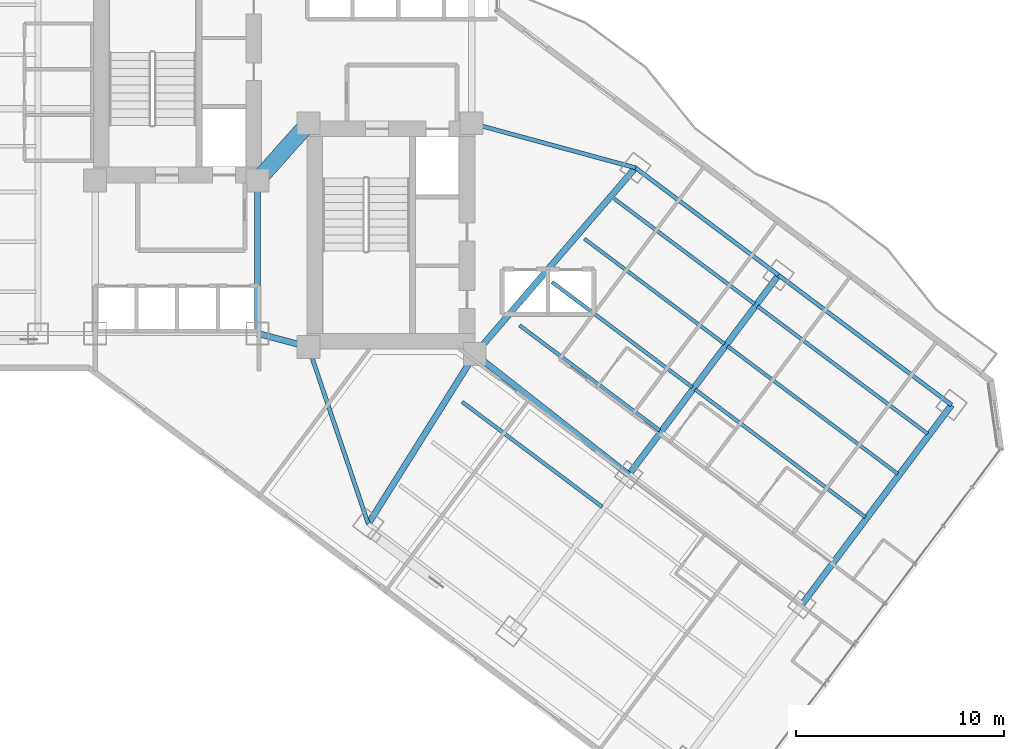
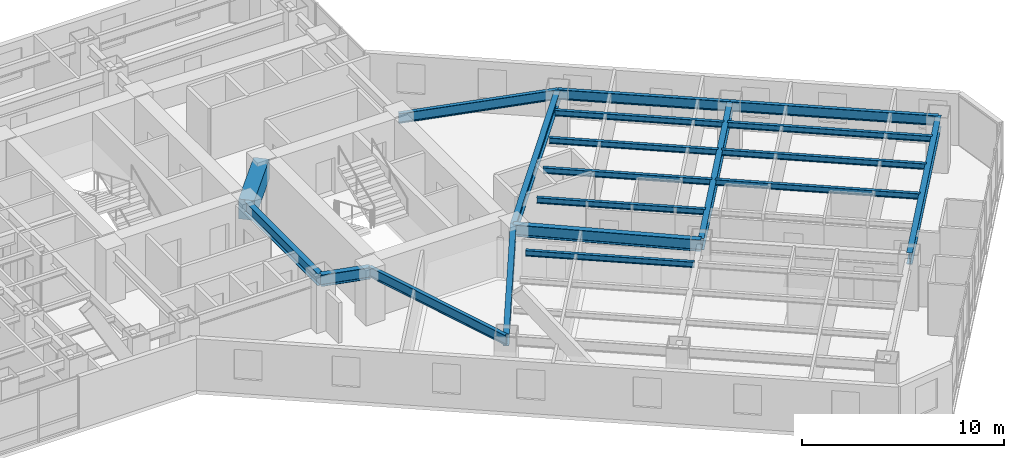
# One storey, part 11 of 32: 20 beams.
"""IFC4 building model written with IfcOpenShell, lengths in metres."""

import ifcopenshell
import ifcopenshell.guid

model = None  # the IFC model being written
_history = None  # IfcOwnerHistory: only IFC2X3 demands one
_inside = {}  # id of a spatial element -> (the spatial element, [elements in it])
_under = {}  # id of a project, library or spatial element -> (it, [spatial elements below it])
_declared = {}  # id of a project -> (the project, [libraries it declares])
_typed = {}  # id of a type object -> (the type object, [elements of that type])
_made_of = {}  # id of a material, layer set ... -> (it, [elements and type objects made of it])


def new_model(schema):
    """Start an empty IFC model of exactly this schema.

    Asked for "IFC4X3", IfcOpenShell would pick the latest addendum, in which some entities
    have other attributes; the version numbers below select the first issue.
    IFC2X3 requires an IfcOwnerHistory on every rooted entity: one is made here for all.
    """
    global model, _history
    if schema == "IFC4X3":
        model = ifcopenshell.file(schema_version=(4, 3, 0, 0))
    else:
        model = ifcopenshell.file(schema=schema)
    _inside.clear()
    _under.clear()
    _declared.clear()
    _typed.clear()
    _made_of.clear()
    _history = None
    if model.schema == "IFC2X3":
        org = make("IfcOrganization", Name="unknown")
        user = make(
            "IfcPersonAndOrganization",
            ThePerson=make("IfcPerson", FamilyName="unknown"),
            TheOrganization=org,
        )
        app = make(
            "IfcApplication",
            ApplicationDeveloper=org,
            Version="unknown",
            ApplicationFullName="unknown",
            ApplicationIdentifier="unknown",
        )
        _history = make(
            "IfcOwnerHistory",
            OwningUser=user,
            OwningApplication=app,
            ChangeAction="ADDED",
            CreationDate=0,
        )
    return model


def make(cls, **values):
    """One entity of the class cls with the attributes given. An attribute that is None is left unset."""
    return model.create_entity(
        cls, **{name: value for name, value in values.items() if value is not None}
    )


def rooted(cls, **values):
    """An entity with a GlobalId (a new one), such as an element, a storey or a relation."""
    return make(cls, GlobalId=ifcopenshell.guid.new(), OwnerHistory=_history, **values)


def si_unit(unit_type, name, prefix=None):
    """IfcSIUnit, for example si_unit("LENGTHUNIT", "METRE", prefix="MILLI")."""
    return make("IfcSIUnit", UnitType=unit_type, Prefix=prefix, Name=name)


def assignment(units):
    """IfcUnitAssignment: the units of a project."""
    return None if units is None else make("IfcUnitAssignment", Units=units)


def point(xyz):
    """IfcCartesianPoint."""
    return None if xyz is None else make("IfcCartesianPoint", Coordinates=xyz)


def direction(xyz):
    """IfcDirection."""
    return None if xyz is None else make("IfcDirection", DirectionRatios=xyz)


def frame(location, z_axis=None, x_axis=None):
    """IfcAxis2Placement3D, a coordinate frame: its origin and axes. An axis left out is left unset."""
    return make(
        "IfcAxis2Placement3D",
        Location=point(location),
        Axis=direction(z_axis),
        RefDirection=direction(x_axis),
    )


def frame_2d(location, x_axis=None):
    """IfcAxis2Placement2D, a coordinate frame in the plane: its origin and x axis."""
    return make(
        "IfcAxis2Placement2D", Location=point(location), RefDirection=direction(x_axis)
    )


def origin():
    """The frame at (0, 0, 0) with its axes left unset."""
    return frame((0.0, 0.0, 0.0))


def origin_2d():
    """The frame at (0, 0) in the plane with its x axis left unset."""
    return frame_2d((0.0, 0.0))


def place(relative_to, where):
    """IfcLocalPlacement: puts the frame where relative to a parent placement (None: the world)."""
    return make(
        "IfcLocalPlacement", PlacementRelTo=relative_to, RelativePlacement=where
    )


def context(
    kind, dimensions, precision=None, world=None, true_north=None, identifier=None
):
    """IfcGeometricRepresentationContext, for example the 3D "Model" context."""
    return make(
        "IfcGeometricRepresentationContext",
        ContextIdentifier=identifier,
        ContextType=kind,
        CoordinateSpaceDimension=dimensions,
        Precision=precision,
        WorldCoordinateSystem=world,
        TrueNorth=true_north,
    )


def subcontext(parent, identifier, kind, view, scale=None):
    """IfcGeometricRepresentationSubContext, for example "Body" below "Model"."""
    return make(
        "IfcGeometricRepresentationSubContext",
        ContextIdentifier=identifier,
        ContextType=kind,
        ParentContext=parent,
        TargetScale=scale,
        TargetView=view,
    )


def project(units=None, contexts=None):
    """IfcProject with its units and contexts."""
    return rooted(
        "IfcProject",
        Name="project",
        RepresentationContexts=contexts,
        UnitsInContext=assignment(units),
    )


def spatial(cls, under=None, at=None, **own):
    """A site, building, storey or space (cls), placed at a placement, below another one or the project."""
    s = rooted(cls, ObjectPlacement=at, **own)
    if under is not None:
        _under.setdefault(under.id(), (under, []))[1].append(s)
    return s


def profile(cls, at=None, kind="AREA", **sizes):
    """A parametric profile (cls). Its sizes go by their IFC names, for example OverallWidth=200.0."""
    return make(cls, ProfileType=kind, Position=at, **sizes)


def rectangle(**sizes):
    """IfcRectangleProfileDef."""
    return profile("IfcRectangleProfileDef", **sizes)


def i_section(**sizes):
    """IfcIShapeProfileDef."""
    return profile("IfcIShapeProfileDef", **sizes)


def extrude(swept, where, along, depth):
    """IfcExtrudedAreaSolid: the profile swept, set in the frame where, extruded along a direction by depth."""
    return make(
        "IfcExtrudedAreaSolid",
        SweptArea=swept,
        Position=where,
        ExtrudedDirection=direction(along),
        Depth=depth,
    )


def shape(context_of_items, identifier, shape_type, items):
    """IfcShapeRepresentation: the items that make up one representation, for example the "Body"."""
    return make(
        "IfcShapeRepresentation",
        ContextOfItems=context_of_items,
        RepresentationIdentifier=identifier,
        RepresentationType=shape_type,
        Items=items,
    )


def material(Name=None, Category=None):
    """IfcMaterial."""
    return make("IfcMaterial", Name=Name, Category=Category)


def material_profile(
    of_material, cross_section, Name=None, Category=None, Priority=None
):
    """IfcMaterialProfile: a cross section and its material."""
    return make(
        "IfcMaterialProfile",
        Name=Name,
        Material=of_material,
        Profile=cross_section,
        Priority=Priority,
        Category=Category,
    )


def profile_set(profiles, Name=None, composite=None):
    """IfcMaterialProfileSet."""
    return make(
        "IfcMaterialProfileSet",
        Name=Name,
        MaterialProfiles=profiles,
        CompositeProfile=composite,
    )


def made_of(thing, what):
    """Note that an element or type object is made of a material, layer set ...; save() writes the relation."""
    if what is not None:
        _made_of.setdefault(what.id(), (what, []))[1].append(thing)
    return thing


def type_object(cls, material=None, **own):
    """A type object (cls), such as IfcWallType, which elements share."""
    return made_of(rooted(cls, **own), material)


def element(
    cls,
    number,
    at=None,
    inside=None,
    cuts=None,
    type_object=None,
    material=None,
    context=None,
    identifier="Body",
    shape_type=None,
    held_by="IfcProductDefinitionShape",
    body=None,
    shapes=None,
    **own,
):
    """One element of the class cls, such as IfcWall. Its Tag is "e" and its number.

    at: its placement. inside: the storey or other place that contains it. cuts: it is an
    opening in that element (IfcRelVoidsElement). A single representation is given by context,
    identifier, shape_type and body (its items); several are given by shapes. held_by: the class
    of the entity that holds the representations. save() writes the other relations.
    """
    e = rooted(cls, Tag="e%d" % number, ObjectPlacement=at, **own)
    if body is not None:
        shapes = [shape(context, identifier, shape_type, body)]
    if shapes is not None:
        e.Representation = make(held_by, Representations=shapes)
    if inside is not None:
        _inside.setdefault(inside.id(), (inside, []))[1].append(e)
    if cuts is not None:
        rooted(
            "IfcRelVoidsElement", RelatingBuildingElement=cuts, RelatedOpeningElement=e
        )
    if type_object is not None:
        _typed.setdefault(type_object.id(), (type_object, []))[1].append(e)
    return made_of(e, material)


def aggregate(whole, parts):
    """IfcRelAggregates: a whole, such as a stair, and the parts it consists of."""
    return rooted("IfcRelAggregates", RelatingObject=whole, RelatedObjects=parts)


def save(model, path):
    """Write the relations noted so far, then the file.

    IfcRelAggregates (storeys below a building ...), IfcRelContainedInSpatialStructure (elements
    in a storey), IfcRelDefinesByType, IfcRelAssociatesMaterial and IfcRelDeclares: one each for
    every whole, place, type object, material and project.
    """
    for whole, parts in _under.values():
        aggregate(whole, parts)
    for where, things in _inside.values():
        rooted(
            "IfcRelContainedInSpatialStructure",
            RelatedElements=things,
            RelatingStructure=where,
        )
    for kind, things in _typed.values():
        rooted("IfcRelDefinesByType", RelatedObjects=things, RelatingType=kind)
    for what, things in _made_of.values():
        rooted("IfcRelAssociatesMaterial", RelatedObjects=things, RelatingMaterial=what)
    for by, libraries in _declared.values():
        rooted("IfcRelDeclares", RelatingContext=by, RelatedDefinitions=libraries)
    model.write(path)


model = new_model("IFC4")

# Units and contexts
model_context = context("Model", 3, precision=1e-05, world=origin(), true_north=direction((0.0, 1.0)))
body_context = subcontext(model_context, "Body", "Model", "MODEL_VIEW")
ifc_project = project(units=[si_unit("LENGTHUNIT", "METRE"), si_unit("AREAUNIT", "SQUARE_METRE"), si_unit("VOLUMEUNIT", "CUBIC_METRE"), si_unit("PLANEANGLEUNIT", "RADIAN"), si_unit("MASSUNIT", "GRAM", prefix="KILO")], contexts=[model_context])

# Site, building, storey
site_placement = place(None, origin())
site = spatial("IfcSite", under=ifc_project, at=site_placement, CompositionType="ELEMENT")
building_placement = place(site_placement, origin())
building = spatial("IfcBuilding", under=site, at=building_placement, Name="Hatsunagi Terrace Concourse", CompositionType="ELEMENT")
storey_placement = place(building_placement, frame((0.0, 0.0, 46.64990234375)))
storey = spatial("IfcBuildingStorey", under=building, at=storey_placement, Name="L11", CompositionType="ELEMENT", Elevation=46.64990234375)

# Beams
ifc_material_1 = material(Name="Concrete Fc60", Category="concrete")
ifc_material_profile_1 = material_profile(ifc_material_1, rectangle(XDim=0.800048828125, YDim=1.199951171875, at=origin_2d()), Name="RC-800x1200")
ifc_profile_set_1 = profile_set([ifc_material_profile_1], Name="Concrete Fc60")
beam_type_1 = type_object("IfcBeamType", Name="CoreCouplingBeam_RC_800x1200", PredefinedType="BEAM", material=ifc_profile_set_1)
beam_1_placement = place(storey_placement, frame((33.35009765625, 32.550048828125, 2.530029296875), z_axis=(0.665198651008, 0.746666427997, 0.0), x_axis=(-0.746666427997, 0.665198651008, 0.0)))
element("IfcBeam", 1, at=beam_1_placement, inside=storey, type_object=beam_type_1, Name="Beam CB-01 CB-L11-1", PredefinedType="BEAM", context=body_context, shape_type="SweptSolid", body=[
    extrude(rectangle(XDim=0.800048828125, YDim=1.199951171875, at=origin_2d()), origin(), (0.0, 0.0, 1.0), 3.68310546875),
])
ifc_material_2 = material(Name="Steel SN490B", Category="steel")
ifc_material_profile_2 = material_profile(ifc_material_2, i_section(OverallWidth=0.300048828125, OverallDepth=0.699951171875, WebThickness=0.012939453125, FlangeThickness=0.02392578125, FilletRadius=0.02197265625, at=origin_2d()), Name="H-700x300x13x24")
ifc_profile_set_2 = profile_set([ifc_material_profile_2], Name="Steel SN490B")
beam_type_2 = type_object("IfcBeamType", Name="HotelFloorGirder_H_700x300", PredefinedType="BEAM", material=ifc_profile_set_2)
beam_2_placement = place(storey_placement, frame((33.35009765625, 25.199951171875, 2.780029296875), z_axis=(0.0, 1.0, 0.0), x_axis=(-1.0, 0.0, 0.0)))
element("IfcBeam", 2, at=beam_2_placement, inside=storey, type_object=beam_type_2, Name="Beam G-04 BM-L11-K2CA", PredefinedType="BEAM", context=body_context, shape_type="SweptSolid", body=[
    extrude(i_section(OverallWidth=0.300048828125, OverallDepth=0.699951171875, WebThickness=0.012939453125, FlangeThickness=0.02392578125, FilletRadius=0.02197265625, at=origin_2d()), origin(), (0.0, 0.0, 1.0), 7.35009765625),
])
beam_3_placement = place(storey_placement, frame((33.35009765625, 25.199951171875, 2.780029296875), z_axis=(0.966569840116, -0.256403479262, 0.0), x_axis=(0.256403479262, 0.966569840116, 0.0)))
element("IfcBeam", 3, at=beam_3_placement, inside=storey, type_object=beam_type_2, Name="Beam G-04 BM-L11-K2CB", PredefinedType="BEAM", context=body_context, shape_type="SweptSolid", body=[
    extrude(i_section(OverallWidth=0.300048828125, OverallDepth=0.699951171875, WebThickness=0.012939453125, FlangeThickness=0.02392578125, FilletRadius=0.02197265625, at=origin_2d()), origin(), (0.0, 0.0, 1.0), 2.53466796875),
])
beam_4_placement = place(storey_placement, frame((38.679931640625, 16.0400390625, 2.780029296875), z_axis=(0.531503907049, 0.847055840421, 0.0), x_axis=(-0.847055840421, 0.531503907049, 0.0)))
element("IfcBeam", 4, at=beam_4_placement, inside=storey, type_object=beam_type_2, Name="Beam G-04 BM-L11-SET-1A", PredefinedType="BEAM", context=body_context, shape_type="SweptSolid", body=[
    extrude(i_section(OverallWidth=0.300048828125, OverallDepth=0.699951171875, WebThickness=0.012939453125, FlangeThickness=0.02392578125, FilletRadius=0.02197265625, at=origin_2d()), origin(), (0.0, 0.0, 1.0), 9.63330078125),
])
beam_5_placement = place(storey_placement, frame((43.800048828125, 24.199951171875, 2.780029296875), z_axis=(0.652739101421, 0.757582777969, 0.0), x_axis=(-0.757582777969, 0.652739101421, 0.0)))
element("IfcBeam", 5, at=beam_5_placement, inside=storey, type_object=beam_type_2, Name="Beam G-04 BM-L11-SET-1B", PredefinedType="BEAM", context=body_context, shape_type="SweptSolid", body=[
    extrude(i_section(OverallWidth=0.300048828125, OverallDepth=0.699951171875, WebThickness=0.012939453125, FlangeThickness=0.02392578125, FilletRadius=0.02197265625, at=origin_2d()), origin(), (0.0, 0.0, 1.0), 11.8271484375),
])
beam_6_placement = place(storey_placement, frame((43.800048828125, 24.199951171875, 2.780029296875), z_axis=(0.787049441068, -0.616889923175, 0.0), x_axis=(0.616889923175, 0.787049441068, 0.0)))
element("IfcBeam", 6, at=beam_6_placement, inside=storey, type_object=beam_type_2, Name="Beam G-04 BM-L11-SE-M2", PredefinedType="BEAM", context=body_context, shape_type="SweptSolid", body=[
    extrude(i_section(OverallWidth=0.300048828125, OverallDepth=0.699951171875, WebThickness=0.012939453125, FlangeThickness=0.02392578125, FilletRadius=0.02197265625, at=origin_2d()), origin(), (0.0, 0.0, 1.0), 9.402099609375),
])
for number, where, z_axis, x_axis, name in (
    (7, (51.199951171875, 18.39990234375, 2.780029296875), (0.59999348959, 0.800004882766, 0.0), (-0.800004882766, 0.59999348959, 0.0), "Beam G-04 BM-L11-SET-2B"),
    (8, (59.52001953125, 12.159912109375, 2.780029296875), (0.59999348959, 0.800004882766, 0.0), (-0.800004882766, 0.59999348959, 0.0), "Beam G-04 BM-L11-SET-3B"),
):
    element("IfcBeam", number, at=place(storey_placement, frame(where, z_axis=z_axis, x_axis=x_axis)), inside=storey, type_object=beam_type_2, Name=name, PredefinedType="BEAM", context=body_context, shape_type="SweptSolid", body=[
        extrude(i_section(OverallWidth=0.300048828125, OverallDepth=0.699951171875, WebThickness=0.012939453125, FlangeThickness=0.02392578125, FilletRadius=0.02197265625, at=origin_2d()), origin(), (0.0, 0.0, 1.0), 12.0),
    ])
ifc_material_3 = material(Name="Steel SN490B", Category="steel")
ifc_material_profile_3 = material_profile(ifc_material_3, i_section(OverallWidth=0.175048828125, OverallDepth=0.35009765625, WebThickness=0.007080078125, FlangeThickness=0.010986328125, FilletRadius=0.012939453125, at=origin_2d()), Name="H-350x175x7x11")
ifc_profile_set_3 = profile_set([ifc_material_profile_3], Name="Steel SN490B")
beam_type_3 = type_object("IfcBeamType", Name="HotelJoist_H_350x175", PredefinedType="JOIST", material=ifc_profile_set_3)
for number, where, z_axis, x_axis, name in (
    (9, (43.18798828125, 21.908935546875, 2.955078125), (0.800003475366, -0.59999536615, 0.0), (0.59999536615, 0.800003475366, 0.0), "Beam J-02 J-L11-SE-2-96"),
    (10, (45.947998046875, 25.589111328125, 2.955078125), (0.799989573921, -0.600013901187, 0.0), (0.600013901187, 0.799989573921, 0.0), "Beam J-02 J-L11-SE-2-142"),
    (11, (47.508056640625, 27.6689453125, 2.955078125), (0.800003475366, -0.59999536615, 0.0), (0.59999536615, 0.800003475366, 0.0), "Beam J-02 J-L11-SE-2-168"),
    (12, (49.068115234375, 29.7490234375, 2.955078125), (0.799989573921, -0.600013901187, 0.0), (0.600013901187, 0.799989573921, 0.0), "Beam J-02 J-L11-SE-2-194"),
    (13, (50.508056640625, 31.6689453125, 2.955078125), (0.800003475366, -0.59999536615, 0.0), (0.59999536615, 0.800003475366, 0.0), "Beam J-02 J-L11-SE-2-218"),
):
    element("IfcBeam", number, at=place(storey_placement, frame(where, z_axis=z_axis, x_axis=x_axis)), inside=storey, type_object=beam_type_3, Name=name, PredefinedType="JOIST", context=body_context, shape_type="SweptSolid", body=[
        extrude(i_section(OverallWidth=0.175048828125, OverallDepth=0.35009765625, WebThickness=0.007080078125, FlangeThickness=0.010986328125, FilletRadius=0.012939453125, at=origin_2d()), origin(), (0.0, 0.0, 1.0), 8.429931640625),
    ])
beam_7_placement = place(storey_placement, frame((54.387939453125, 22.509033203125, 2.955078125), z_axis=(0.800005727586, -0.599992363142, 0.0), x_axis=(0.599992363142, 0.800005727586, 0.0)))
element("IfcBeam", 14, at=beam_7_placement, inside=storey, type_object=beam_type_3, Name="Beam J-02 J-L11-SE-3-168", PredefinedType="JOIST", context=body_context, shape_type="SweptSolid", body=[
    extrude(i_section(OverallWidth=0.175048828125, OverallDepth=0.35009765625, WebThickness=0.007080078125, FlangeThickness=0.010986328125, FilletRadius=0.012939453125, at=origin_2d()), origin(), (0.0, 0.0, 1.0), 10.22998046875),
])
beam_8_placement = place(storey_placement, frame((55.947998046875, 24.589111328125, 2.955078125), z_axis=(0.799994272423, -0.600007636694, 0.0), x_axis=(0.600007636694, 0.799994272423, 0.0)))
element("IfcBeam", 15, at=beam_8_placement, inside=storey, type_object=beam_type_3, Name="Beam J-02 J-L11-SE-3-194", PredefinedType="JOIST", context=body_context, shape_type="SweptSolid", body=[
    extrude(i_section(OverallWidth=0.175048828125, OverallDepth=0.35009765625, WebThickness=0.007080078125, FlangeThickness=0.010986328125, FilletRadius=0.012939453125, at=origin_2d()), origin(), (0.0, 0.0, 1.0), 10.230224609375),
])
beam_9_placement = place(storey_placement, frame((57.387939453125, 26.509033203125, 2.955078125), z_axis=(0.800005727586, -0.599992363142, 0.0), x_axis=(0.599992363142, 0.800005727586, 0.0)))
element("IfcBeam", 16, at=beam_9_placement, inside=storey, type_object=beam_type_3, Name="Beam J-02 J-L11-SE-3-218", PredefinedType="JOIST", context=body_context, shape_type="SweptSolid", body=[
    extrude(i_section(OverallWidth=0.175048828125, OverallDepth=0.35009765625, WebThickness=0.007080078125, FlangeThickness=0.010986328125, FilletRadius=0.012939453125, at=origin_2d()), origin(), (0.0, 0.0, 1.0), 10.22998046875),
])
ifc_material_4 = material(Name="Steel SN490B", Category="steel")
ifc_material_profile_4 = material_profile(ifc_material_4, i_section(OverallWidth=0.199951171875, OverallDepth=0.60009765625, WebThickness=0.010986328125, FlangeThickness=0.01708984375, FilletRadius=0.01806640625, at=origin_2d()), Name="H-600x200x11x17")
ifc_profile_set_4 = profile_set([ifc_material_profile_4], Name="Steel SN490B")
beam_type_4 = type_object("IfcBeamType", Name="PerimeterSpandrel_H_600x200", PredefinedType="SPANDREL", material=ifc_profile_set_4)
beam_10_placement = place(storey_placement, frame((35.800048828125, 24.550048828125, 2.830078125), z_axis=(0.320553412271, -0.947230441805, 0.0), x_axis=(0.947230441805, 0.320553412271, 0.0)))
element("IfcBeam", 17, at=beam_10_placement, inside=storey, type_object=beam_type_4, Name="Beam SP-01 BM-L11-SE-SW0", PredefinedType="SPANDREL", context=body_context, shape_type="SweptSolid", body=[
    extrude(i_section(OverallWidth=0.199951171875, OverallDepth=0.60009765625, WebThickness=0.010986328125, FlangeThickness=0.01708984375, FilletRadius=0.01806640625, at=origin_2d()), origin(), (0.0, 0.0, 1.0), 8.984130859375),
])
beam_11_placement = place(storey_placement, frame((43.64990234375, 35.300048828125, 2.830078125), z_axis=(0.964958359286, -0.262403057994, 0.0), x_axis=(0.262403057994, 0.964958359286, 0.0)))
element("IfcBeam", 18, at=beam_11_placement, inside=storey, type_object=beam_type_4, Name="Beam SP-01 BM-L11-SE-NE0", PredefinedType="SPANDREL", context=body_context, shape_type="SweptSolid", body=[
    extrude(i_section(OverallWidth=0.199951171875, OverallDepth=0.60009765625, WebThickness=0.010986328125, FlangeThickness=0.01708984375, FilletRadius=0.01806640625, at=origin_2d()), origin(), (0.0, 0.0, 1.0), 8.156005859375),
])
beam_12_placement = place(storey_placement, frame((51.52001953125, 33.159912109375, 2.830078125), z_axis=(0.8, -0.6, 0.0), x_axis=(0.6, 0.8, 0.0)))
element("IfcBeam", 19, at=beam_12_placement, inside=storey, type_object=beam_type_4, Name="Beam SP-01 BM-L11-SE-NE2", PredefinedType="SPANDREL", context=body_context, shape_type="SweptSolid", body=[
    extrude(i_section(OverallWidth=0.199951171875, OverallDepth=0.60009765625, WebThickness=0.010986328125, FlangeThickness=0.01708984375, FilletRadius=0.01806640625, at=origin_2d()), origin(), (0.0, 0.0, 1.0), 8.599853515625),
])
beam_13_placement = place(storey_placement, frame((58.39990234375, 28.0, 2.830078125), z_axis=(0.800002816985, -0.599996244001, 0.0), x_axis=(0.599996244001, 0.800002816985, 0.0)))
element("IfcBeam", 20, at=beam_13_placement, inside=storey, type_object=beam_type_4, Name="Beam SP-01 BM-L11-SE-NE3", PredefinedType="SPANDREL", context=body_context, shape_type="SweptSolid", body=[
    extrude(i_section(OverallWidth=0.199951171875, OverallDepth=0.60009765625, WebThickness=0.010986328125, FlangeThickness=0.01708984375, FilletRadius=0.01806640625, at=origin_2d()), origin(), (0.0, 0.0, 1.0), 10.400146484375),
])

save(model, "model.ifc")
